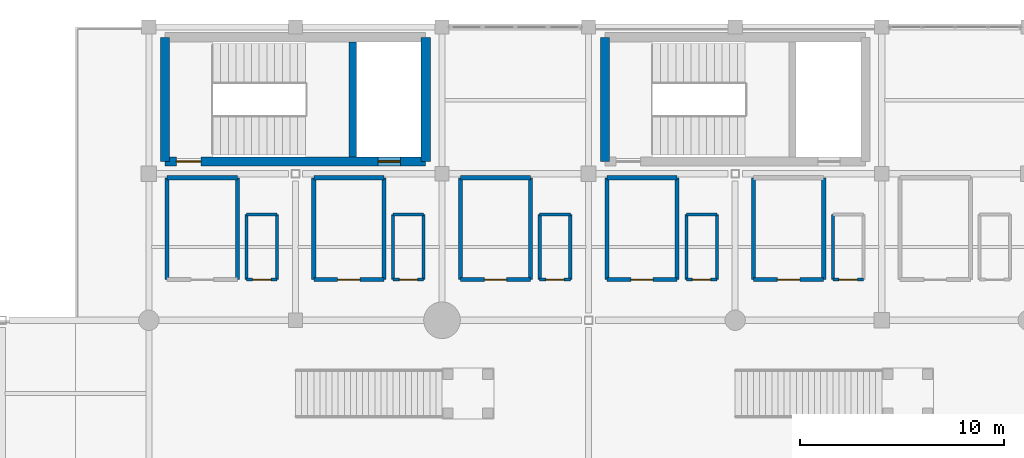
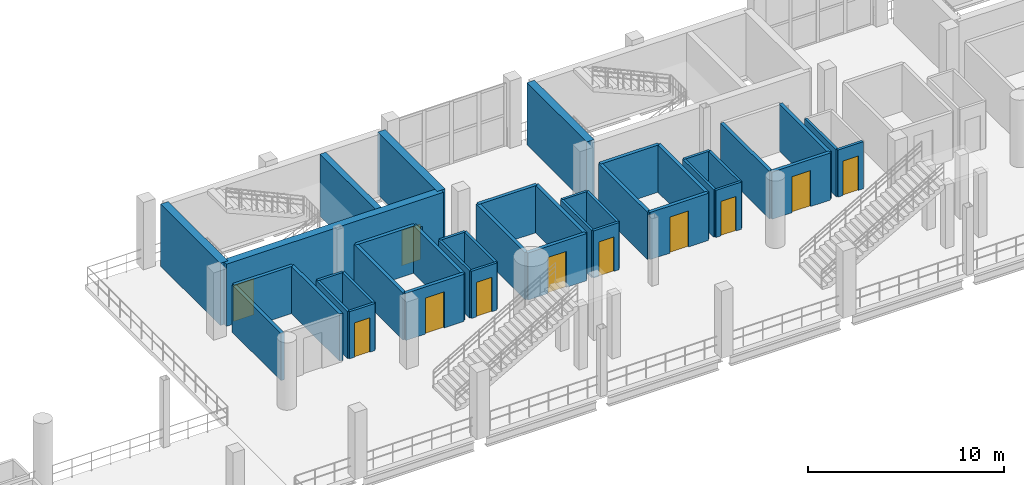
# One storey, part 107 of 130: 41 walls, 11 doors, 11 openings.
"""IFC4 building model written with IfcOpenShell, lengths in metres."""

from ifc_helpers import new_model, si_unit, direction, frame, frame_2d, origin, place, context, subcontext, project, spatial, rectangle, extrude, material, layer, layer_set, type_object, element, fill, save


model = new_model("IFC4")

# Units and contexts
model_context = context("Model", 3, precision=1e-05, world=origin(), true_north=direction((0.0, 1.0)))
body_context = subcontext(model_context, "Body", "Model", "MODEL_VIEW")
ifc_project = project(units=[si_unit("LENGTHUNIT", "METRE"), si_unit("AREAUNIT", "SQUARE_METRE"), si_unit("VOLUMEUNIT", "CUBIC_METRE"), si_unit("PLANEANGLEUNIT", "RADIAN"), si_unit("MASSUNIT", "GRAM", prefix="KILO")], contexts=[model_context])

# Site, building, storey
site_placement = place(None, origin())
site = spatial("IfcSite", under=ifc_project, at=site_placement, CompositionType="ELEMENT")
building_placement = place(site_placement, origin())
building = spatial("IfcBuilding", under=site, at=building_placement, Name="Qandorah Velis Arena", CompositionType="ELEMENT")
storey_placement = place(building_placement, frame((0.0, 0.0, 9.60009765625)))
storey = spatial("IfcBuildingStorey", under=building, at=storey_placement, Name="L02", CompositionType="ELEMENT", Elevation=9.60009765625)

# Walls
ifc_material_1 = material(Name="Concrete C35/45", Category="concrete")
ifc_layer_1 = layer(ifc_material_1, 0.199951171875)
ifc_layer_set_1 = layer_set([ifc_layer_1], Name="Concrete C35/45")
wall_type_1 = type_object("IfcWallType", Name="ARC-WAL-FD60-200", PredefinedType="PARTITIONING", material=ifc_layer_set_1)
wall_1_placement = place(storey_placement, frame((33.14990234375, 117.199951171875, 0.0), z_axis=(0.0, 0.0, 1.0), x_axis=(0.0, 1.0, 0.0)))
element("IfcWall", 1, at=wall_1_placement, inside=storey, type_object=wall_type_1, Name="Interior partition L02-HS-17 (E)", PredefinedType="PARTITIONING", context=body_context, shape_type="SweptSolid", body=[
    extrude(rectangle(XDim=5.0, YDim=0.199951171875, at=frame_2d((2.5, 0.0))), origin(), (0.0, 0.0, 1.0), 2.93994140625),
])
wall_2_placement = place(storey_placement, frame((33.14990234375, 122.199951171875, 0.0), z_axis=(0.0, 0.0, 1.0), x_axis=(-1.0, 0.0, 0.0)))
element("IfcWall", 2, at=wall_2_placement, inside=storey, type_object=wall_type_1, Name="Interior partition L02-HS-17 (N)", PredefinedType="PARTITIONING", context=body_context, shape_type="SweptSolid", body=[
    extrude(rectangle(XDim=3.449951171875, YDim=0.199951171875, at=frame_2d((1.72509765625, 0.0))), origin(), (0.0, 0.0, 1.0), 2.93994140625),
])
wall_3_placement = place(storey_placement, frame((29.699951171875, 122.199951171875, 0.0), z_axis=(0.0, 0.0, 1.0), x_axis=(0.0, -1.0, 0.0)))
element("IfcWall", 3, at=wall_3_placement, inside=storey, type_object=wall_type_1, Name="Interior partition L02-HS-17 (W)", PredefinedType="PARTITIONING", context=body_context, shape_type="SweptSolid", body=[
    extrude(rectangle(XDim=5.0, YDim=0.199951171875, at=frame_2d((2.5, 0.0))), origin(), (0.0, 0.0, 1.0), 2.93994140625),
])

# Wall, opening, door
wall_4_placement = place(storey_placement, frame((36.89990234375, 117.199951171875, 0.0), z_axis=(0.0, 0.0, 1.0), x_axis=(1.0, 0.0, 0.0)))
wall_4 = element("IfcWall", 4, at=wall_4_placement, inside=storey, type_object=wall_type_1, Name="Interior partition L02-HS-18 (S)", PredefinedType="PARTITIONING", context=body_context, shape_type="SweptSolid", body=[
    extrude(rectangle(XDim=3.4501953125, YDim=0.199951171875, at=frame_2d((1.72509765625, 0.0))), origin(), (0.0, 0.0, 1.0), 2.93994140625),
])
opening_1_placement = place(wall_4_placement, frame((1.175048828125, 0.0, 0.0)))
opening_1 = element("IfcOpeningElement", 5, at=opening_1_placement, cuts=wall_4, Name="Opening D7", PredefinedType="OPENING", context=body_context, shape_type="SweptSolid", body=[
    extrude(rectangle(XDim=1.10009765625, YDim=2.25, at=frame_2d((0.550048828125, 1.125))), frame((0.0, 0.10986328125, 0.0), z_axis=(0.0, -1.0, 0.0), x_axis=(1.0, 0.0, 0.0)), (0.0, 0.0, 1.0), 0.219970703125),
])
ifc_material_2 = material(Name="Hospitality suite acoustic walnut door")
door_type_1 = type_object("IfcDoorType", Name="ARC-DR-INT1100", OperationType="NOTDEFINED", PredefinedType="DOOR", material=ifc_material_2)
door_1_placement = place(opening_1_placement, origin())
door_1 = element("IfcDoor", 6, at=door_1_placement, inside=storey, type_object=door_type_1, Name="Door L02-HS-18", OperationType="SINGLE_SWING_LEFT", OverallHeight=2.25, OverallWidth=1.10009765625, PredefinedType="DOOR", context=body_context, shape_type="SweptSolid", body=[
    extrude(rectangle(XDim=1.10009765625, YDim=2.25, at=frame_2d((0.550048828125, 1.125))), frame((0.0, 0.02490234375, 0.0), z_axis=(0.0, -1.0, 0.0), x_axis=(1.0, 0.0, 0.0)), (0.0, 0.0, 1.0), 0.050048828125),
])
fill(opening_1, door_1)

# Walls
wall_5_placement = place(storey_placement, frame((40.35009765625, 117.199951171875, 0.0), z_axis=(0.0, 0.0, 1.0), x_axis=(0.0, 1.0, 0.0)))
element("IfcWall", 7, at=wall_5_placement, inside=storey, type_object=wall_type_1, Name="Interior partition L02-HS-18 (E)", PredefinedType="PARTITIONING", context=body_context, shape_type="SweptSolid", body=[
    extrude(rectangle(XDim=5.0, YDim=0.199951171875, at=frame_2d((2.5, 0.0))), origin(), (0.0, 0.0, 1.0), 2.93994140625),
])
wall_6_placement = place(storey_placement, frame((40.35009765625, 122.199951171875, 0.0), z_axis=(0.0, 0.0, 1.0), x_axis=(-1.0, 0.0, 0.0)))
element("IfcWall", 8, at=wall_6_placement, inside=storey, type_object=wall_type_1, Name="Interior partition L02-HS-18 (N)", PredefinedType="PARTITIONING", context=body_context, shape_type="SweptSolid", body=[
    extrude(rectangle(XDim=3.4501953125, YDim=0.199951171875, at=frame_2d((1.72509765625, 0.0))), origin(), (0.0, 0.0, 1.0), 2.93994140625),
])
wall_7_placement = place(storey_placement, frame((36.89990234375, 122.199951171875, 0.0), z_axis=(0.0, 0.0, 1.0), x_axis=(0.0, -1.0, 0.0)))
element("IfcWall", 9, at=wall_7_placement, inside=storey, type_object=wall_type_1, Name="Interior partition L02-HS-18 (W)", PredefinedType="PARTITIONING", context=body_context, shape_type="SweptSolid", body=[
    extrude(rectangle(XDim=5.0, YDim=0.199951171875, at=frame_2d((2.5, 0.0))), origin(), (0.0, 0.0, 1.0), 2.93994140625),
])

# Wall, opening, door
wall_8_placement = place(storey_placement, frame((44.10009765625, 117.199951171875, 0.0), z_axis=(0.0, 0.0, 1.0), x_axis=(1.0, 0.0, 0.0)))
wall_8 = element("IfcWall", 10, at=wall_8_placement, inside=storey, type_object=wall_type_1, Name="Interior partition L02-HS-19 (S)", PredefinedType="PARTITIONING", context=body_context, shape_type="SweptSolid", body=[
    extrude(rectangle(XDim=3.449951171875, YDim=0.199951171875, at=frame_2d((1.72509765625, 0.0))), origin(), (0.0, 0.0, 1.0), 2.93994140625),
])
opening_2_placement = place(wall_8_placement, frame((1.175048828125, 0.0, 0.0)))
opening_2 = element("IfcOpeningElement", 11, at=opening_2_placement, cuts=wall_8, Name="Opening D7", PredefinedType="OPENING", context=body_context, shape_type="SweptSolid", body=[
    extrude(rectangle(XDim=1.10009765625, YDim=2.25, at=frame_2d((0.550048828125, 1.125))), frame((0.0, 0.10986328125, 0.0), z_axis=(0.0, -1.0, 0.0), x_axis=(1.0, 0.0, 0.0)), (0.0, 0.0, 1.0), 0.219970703125),
])
door_2_placement = place(opening_2_placement, origin())
door_2 = element("IfcDoor", 12, at=door_2_placement, inside=storey, type_object=door_type_1, Name="Door L02-HS-19", OperationType="SINGLE_SWING_LEFT", OverallHeight=2.25, OverallWidth=1.10009765625, PredefinedType="DOOR", context=body_context, shape_type="SweptSolid", body=[
    extrude(rectangle(XDim=1.10009765625, YDim=2.25, at=frame_2d((0.550048828125, 1.125))), frame((0.0, 0.02490234375, 0.0), z_axis=(0.0, -1.0, 0.0), x_axis=(1.0, 0.0, 0.0)), (0.0, 0.0, 1.0), 0.050048828125),
])
fill(opening_2, door_2)

# Walls
wall_9_placement = place(storey_placement, frame((47.550048828125, 117.199951171875, 0.0), z_axis=(0.0, 0.0, 1.0), x_axis=(0.0, 1.0, 0.0)))
element("IfcWall", 13, at=wall_9_placement, inside=storey, type_object=wall_type_1, Name="Interior partition L02-HS-19 (E)", PredefinedType="PARTITIONING", context=body_context, shape_type="SweptSolid", body=[
    extrude(rectangle(XDim=5.0, YDim=0.199951171875, at=frame_2d((2.5, 0.0))), origin(), (0.0, 0.0, 1.0), 2.93994140625),
])
wall_10_placement = place(storey_placement, frame((47.550048828125, 122.199951171875, 0.0), z_axis=(0.0, 0.0, 1.0), x_axis=(-1.0, 0.0, 0.0)))
element("IfcWall", 14, at=wall_10_placement, inside=storey, type_object=wall_type_1, Name="Interior partition L02-HS-19 (N)", PredefinedType="PARTITIONING", context=body_context, shape_type="SweptSolid", body=[
    extrude(rectangle(XDim=3.449951171875, YDim=0.199951171875, at=frame_2d((1.72509765625, 0.0))), origin(), (0.0, 0.0, 1.0), 2.93994140625),
])
wall_11_placement = place(storey_placement, frame((44.10009765625, 122.199951171875, 0.0), z_axis=(0.0, 0.0, 1.0), x_axis=(0.0, -1.0, 0.0)))
element("IfcWall", 15, at=wall_11_placement, inside=storey, type_object=wall_type_1, Name="Interior partition L02-HS-19 (W)", PredefinedType="PARTITIONING", context=body_context, shape_type="SweptSolid", body=[
    extrude(rectangle(XDim=5.0, YDim=0.199951171875, at=frame_2d((2.5, 0.0))), origin(), (0.0, 0.0, 1.0), 2.93994140625),
])

# Wall, opening, door
wall_12_placement = place(storey_placement, frame((51.300048828125, 117.199951171875, 0.0), z_axis=(0.0, 0.0, 1.0), x_axis=(1.0, 0.0, 0.0)))
wall_12 = element("IfcWall", 16, at=wall_12_placement, inside=storey, type_object=wall_type_1, Name="Interior partition L02-HS-20 (S)", PredefinedType="PARTITIONING", context=body_context, shape_type="SweptSolid", body=[
    extrude(rectangle(XDim=3.449951171875, YDim=0.199951171875, at=frame_2d((1.72509765625, 0.0))), origin(), (0.0, 0.0, 1.0), 2.93994140625),
])
opening_3_placement = place(wall_12_placement, frame((1.175048828125, 0.0, 0.0)))
opening_3 = element("IfcOpeningElement", 17, at=opening_3_placement, cuts=wall_12, Name="Opening D7", PredefinedType="OPENING", context=body_context, shape_type="SweptSolid", body=[
    extrude(rectangle(XDim=1.10009765625, YDim=2.25, at=frame_2d((0.550048828125, 1.125))), frame((0.0, 0.10986328125, 0.0), z_axis=(0.0, -1.0, 0.0), x_axis=(1.0, 0.0, 0.0)), (0.0, 0.0, 1.0), 0.219970703125),
])
door_3_placement = place(opening_3_placement, origin())
door_3 = element("IfcDoor", 18, at=door_3_placement, inside=storey, type_object=door_type_1, Name="Door L02-HS-20", OperationType="SINGLE_SWING_LEFT", OverallHeight=2.25, OverallWidth=1.10009765625, PredefinedType="DOOR", context=body_context, shape_type="SweptSolid", body=[
    extrude(rectangle(XDim=1.10009765625, YDim=2.25, at=frame_2d((0.550048828125, 1.125))), frame((0.0, 0.02490234375, 0.0), z_axis=(0.0, -1.0, 0.0), x_axis=(1.0, 0.0, 0.0)), (0.0, 0.0, 1.0), 0.050048828125),
])
fill(opening_3, door_3)

# Walls
wall_13_placement = place(storey_placement, frame((54.75, 117.199951171875, 0.0), z_axis=(0.0, 0.0, 1.0), x_axis=(0.0, 1.0, 0.0)))
element("IfcWall", 19, at=wall_13_placement, inside=storey, type_object=wall_type_1, Name="Interior partition L02-HS-20 (E)", PredefinedType="PARTITIONING", context=body_context, shape_type="SweptSolid", body=[
    extrude(rectangle(XDim=5.0, YDim=0.199951171875, at=frame_2d((2.5, 0.0))), origin(), (0.0, 0.0, 1.0), 2.93994140625),
])
wall_14_placement = place(storey_placement, frame((54.75, 122.199951171875, 0.0), z_axis=(0.0, 0.0, 1.0), x_axis=(-1.0, 0.0, 0.0)))
element("IfcWall", 20, at=wall_14_placement, inside=storey, type_object=wall_type_1, Name="Interior partition L02-HS-20 (N)", PredefinedType="PARTITIONING", context=body_context, shape_type="SweptSolid", body=[
    extrude(rectangle(XDim=3.449951171875, YDim=0.199951171875, at=frame_2d((1.72509765625, 0.0))), origin(), (0.0, 0.0, 1.0), 2.93994140625),
])
wall_15_placement = place(storey_placement, frame((51.300048828125, 122.199951171875, 0.0), z_axis=(0.0, 0.0, 1.0), x_axis=(0.0, -1.0, 0.0)))
element("IfcWall", 21, at=wall_15_placement, inside=storey, type_object=wall_type_1, Name="Interior partition L02-HS-20 (W)", PredefinedType="PARTITIONING", context=body_context, shape_type="SweptSolid", body=[
    extrude(rectangle(XDim=5.0, YDim=0.199951171875, at=frame_2d((2.5, 0.0))), origin(), (0.0, 0.0, 1.0), 2.93994140625),
])

# Wall, opening, door
wall_16_placement = place(storey_placement, frame((58.5, 117.199951171875, 0.0), z_axis=(0.0, 0.0, 1.0), x_axis=(1.0, 0.0, 0.0)))
wall_16 = element("IfcWall", 22, at=wall_16_placement, inside=storey, type_object=wall_type_1, Name="Interior partition L02-HS-21 (S)", PredefinedType="PARTITIONING", context=body_context, shape_type="SweptSolid", body=[
    extrude(rectangle(XDim=3.449951171875, YDim=0.199951171875, at=frame_2d((1.72509765625, 0.0))), origin(), (0.0, 0.0, 1.0), 2.93994140625),
])
opening_4_placement = place(wall_16_placement, frame((1.175048828125, 0.0, 0.0)))
opening_4 = element("IfcOpeningElement", 23, at=opening_4_placement, cuts=wall_16, Name="Opening D7", PredefinedType="OPENING", context=body_context, shape_type="SweptSolid", body=[
    extrude(rectangle(XDim=1.10009765625, YDim=2.25, at=frame_2d((0.550048828125, 1.125))), frame((0.0, 0.10986328125, 0.0), z_axis=(0.0, -1.0, 0.0), x_axis=(1.0, 0.0, 0.0)), (0.0, 0.0, 1.0), 0.219970703125),
])
door_4_placement = place(opening_4_placement, origin())
door_4 = element("IfcDoor", 24, at=door_4_placement, inside=storey, type_object=door_type_1, Name="Door L02-HS-21", OperationType="SINGLE_SWING_LEFT", OverallHeight=2.25, OverallWidth=1.10009765625, PredefinedType="DOOR", context=body_context, shape_type="SweptSolid", body=[
    extrude(rectangle(XDim=1.10009765625, YDim=2.25, at=frame_2d((0.550048828125, 1.125))), frame((0.0, 0.02490234375, 0.0), z_axis=(0.0, -1.0, 0.0), x_axis=(1.0, 0.0, 0.0)), (0.0, 0.0, 1.0), 0.050048828125),
])
fill(opening_4, door_4)

# Walls
for number, where, z_axis, x_axis, name in (
    (25, (61.949951171875, 117.199951171875, 0.0), (0.0, 0.0, 1.0), (0.0, 1.0, 0.0), "Interior partition L02-HS-21 (E)"),
    (26, (58.5, 122.199951171875, 0.0), (0.0, 0.0, 1.0), (0.0, -1.0, 0.0), "Interior partition L02-HS-21 (W)"),
):
    element("IfcWall", number, at=place(storey_placement, frame(where, z_axis=z_axis, x_axis=x_axis)), inside=storey, type_object=wall_type_1, Name=name, PredefinedType="PARTITIONING", context=body_context, shape_type="SweptSolid", body=[
        extrude(rectangle(XDim=5.0, YDim=0.199951171875, at=frame_2d((2.5, 0.0))), origin(), (0.0, 0.0, 1.0), 2.93994140625),
    ])

# Wall, opening, door
ifc_layer_2 = layer(ifc_material_1, 0.14990234375)
ifc_layer_set_2 = layer_set([ifc_layer_2], Name="Concrete C35/45")
wall_type_2 = type_object("IfcWallType", Name="ARC-WAL-PART150", PredefinedType="PARTITIONING", material=ifc_layer_set_2)
wall_17_placement = place(storey_placement, frame((33.60009765625, 117.199951171875, 0.0), z_axis=(0.0, 0.0, 1.0), x_axis=(1.0, 0.0, 0.0)))
wall_17 = element("IfcWall", 27, at=wall_17_placement, inside=storey, type_object=wall_type_2, Name="Interior partition L02-HSWC-17 (S)", PredefinedType="PARTITIONING", context=body_context, shape_type="SweptSolid", body=[
    extrude(rectangle(XDim=1.5, YDim=0.14990234375, at=frame_2d((0.75, 0.0))), origin(), (0.0, 0.0, 1.0), 2.93994140625),
])
opening_5_placement = place(wall_17_placement, frame((0.300048828125, 0.0, 0.0)))
opening_5 = element("IfcOpeningElement", 28, at=opening_5_placement, cuts=wall_17, Name="Opening D8", PredefinedType="OPENING", context=body_context, shape_type="SweptSolid", body=[
    extrude(rectangle(XDim=0.89990234375, YDim=2.14990234375, at=frame_2d((0.449951171875, 1.074951171875))), frame((0.0, 0.0849609375, 0.0), z_axis=(0.0, -1.0, 0.0), x_axis=(1.0, 0.0, 0.0)), (0.0, 0.0, 1.0), 0.169921875),
])
ifc_material_3 = material(Name="Suite en-suite walnut door")
door_type_2 = type_object("IfcDoorType", Name="ARC-DR-WC900", OperationType="NOTDEFINED", PredefinedType="DOOR", material=ifc_material_3)
door_5_placement = place(opening_5_placement, frame((0.89990234375, 0.0, 0.0), z_axis=(0.0, 0.0, 1.0), x_axis=(-1.0, 0.0, 0.0)))
door_5 = element("IfcDoor", 29, at=door_5_placement, inside=storey, type_object=door_type_2, Name="Door L02-HSWC-17", OperationType="SINGLE_SWING_RIGHT", OverallHeight=2.14990234375, OverallWidth=0.89990234375, PredefinedType="DOOR", context=body_context, shape_type="SweptSolid", body=[
    extrude(rectangle(XDim=0.89990234375, YDim=2.14990234375, at=frame_2d((0.449951171875, 1.074951171875))), frame((0.0, 0.02490234375, 0.0), z_axis=(0.0, -1.0, 0.0), x_axis=(1.0, 0.0, 0.0)), (0.0, 0.0, 1.0), 0.050048828125),
])
fill(opening_5, door_5)

# Walls
wall_18_placement = place(storey_placement, frame((35.10009765625, 117.199951171875, 0.0), z_axis=(0.0, 0.0, 1.0), x_axis=(0.0, 1.0, 0.0)))
element("IfcWall", 30, at=wall_18_placement, inside=storey, type_object=wall_type_2, Name="Interior partition L02-HSWC-17 (E)", PredefinedType="PARTITIONING", context=body_context, shape_type="SweptSolid", body=[
    extrude(rectangle(XDim=3.199951171875, YDim=0.14990234375, at=frame_2d((1.60009765625, 0.0))), origin(), (0.0, 0.0, 1.0), 2.93994140625),
])
wall_19_placement = place(storey_placement, frame((35.10009765625, 120.39990234375, 0.0), z_axis=(0.0, 0.0, 1.0), x_axis=(-1.0, 0.0, 0.0)))
element("IfcWall", 31, at=wall_19_placement, inside=storey, type_object=wall_type_2, Name="Interior partition L02-HSWC-17 (N)", PredefinedType="PARTITIONING", context=body_context, shape_type="SweptSolid", body=[
    extrude(rectangle(XDim=1.5, YDim=0.14990234375, at=frame_2d((0.75, 0.0))), origin(), (0.0, 0.0, 1.0), 2.93994140625),
])
wall_20_placement = place(storey_placement, frame((33.60009765625, 120.39990234375, 0.0), z_axis=(0.0, 0.0, 1.0), x_axis=(0.0, -1.0, 0.0)))
element("IfcWall", 32, at=wall_20_placement, inside=storey, type_object=wall_type_2, Name="Interior partition L02-HSWC-17 (W)", PredefinedType="PARTITIONING", context=body_context, shape_type="SweptSolid", body=[
    extrude(rectangle(XDim=3.199951171875, YDim=0.14990234375, at=frame_2d((1.60009765625, 0.0))), origin(), (0.0, 0.0, 1.0), 2.93994140625),
])

# Wall, opening, door
wall_21_placement = place(storey_placement, frame((40.800048828125, 117.199951171875, 0.0), z_axis=(0.0, 0.0, 1.0), x_axis=(1.0, 0.0, 0.0)))
wall_21 = element("IfcWall", 33, at=wall_21_placement, inside=storey, type_object=wall_type_2, Name="Interior partition L02-HSWC-18 (S)", PredefinedType="PARTITIONING", context=body_context, shape_type="SweptSolid", body=[
    extrude(rectangle(XDim=1.5, YDim=0.14990234375, at=frame_2d((0.75, 0.0))), origin(), (0.0, 0.0, 1.0), 2.93994140625),
])
opening_6_placement = place(wall_21_placement, frame((0.300048828125, 0.0, 0.0)))
opening_6 = element("IfcOpeningElement", 34, at=opening_6_placement, cuts=wall_21, Name="Opening D8", PredefinedType="OPENING", context=body_context, shape_type="SweptSolid", body=[
    extrude(rectangle(XDim=0.89990234375, YDim=2.14990234375, at=frame_2d((0.449951171875, 1.074951171875))), frame((0.0, 0.0849609375, 0.0), z_axis=(0.0, -1.0, 0.0), x_axis=(1.0, 0.0, 0.0)), (0.0, 0.0, 1.0), 0.169921875),
])
door_6_placement = place(opening_6_placement, frame((0.89990234375, 0.0, 0.0), z_axis=(0.0, 0.0, 1.0), x_axis=(-1.0, 0.0, 0.0)))
door_6 = element("IfcDoor", 35, at=door_6_placement, inside=storey, type_object=door_type_2, Name="Door L02-HSWC-18", OperationType="SINGLE_SWING_RIGHT", OverallHeight=2.14990234375, OverallWidth=0.89990234375, PredefinedType="DOOR", context=body_context, shape_type="SweptSolid", body=[
    extrude(rectangle(XDim=0.89990234375, YDim=2.14990234375, at=frame_2d((0.449951171875, 1.074951171875))), frame((0.0, 0.02490234375, 0.0), z_axis=(0.0, -1.0, 0.0), x_axis=(1.0, 0.0, 0.0)), (0.0, 0.0, 1.0), 0.050048828125),
])
fill(opening_6, door_6)

# Walls
wall_22_placement = place(storey_placement, frame((42.300048828125, 117.199951171875, 0.0), z_axis=(0.0, 0.0, 1.0), x_axis=(0.0, 1.0, 0.0)))
element("IfcWall", 36, at=wall_22_placement, inside=storey, type_object=wall_type_2, Name="Interior partition L02-HSWC-18 (E)", PredefinedType="PARTITIONING", context=body_context, shape_type="SweptSolid", body=[
    extrude(rectangle(XDim=3.199951171875, YDim=0.14990234375, at=frame_2d((1.60009765625, 0.0))), origin(), (0.0, 0.0, 1.0), 2.93994140625),
])
wall_23_placement = place(storey_placement, frame((42.300048828125, 120.39990234375, 0.0), z_axis=(0.0, 0.0, 1.0), x_axis=(-1.0, 0.0, 0.0)))
element("IfcWall", 37, at=wall_23_placement, inside=storey, type_object=wall_type_2, Name="Interior partition L02-HSWC-18 (N)", PredefinedType="PARTITIONING", context=body_context, shape_type="SweptSolid", body=[
    extrude(rectangle(XDim=1.5, YDim=0.14990234375, at=frame_2d((0.75, 0.0))), origin(), (0.0, 0.0, 1.0), 2.93994140625),
])
wall_24_placement = place(storey_placement, frame((40.800048828125, 120.39990234375, 0.0), z_axis=(0.0, 0.0, 1.0), x_axis=(0.0, -1.0, 0.0)))
element("IfcWall", 38, at=wall_24_placement, inside=storey, type_object=wall_type_2, Name="Interior partition L02-HSWC-18 (W)", PredefinedType="PARTITIONING", context=body_context, shape_type="SweptSolid", body=[
    extrude(rectangle(XDim=3.199951171875, YDim=0.14990234375, at=frame_2d((1.60009765625, 0.0))), origin(), (0.0, 0.0, 1.0), 2.93994140625),
])

# Wall, opening, door
wall_25_placement = place(storey_placement, frame((48.0, 117.199951171875, 0.0), z_axis=(0.0, 0.0, 1.0), x_axis=(1.0, 0.0, 0.0)))
wall_25 = element("IfcWall", 39, at=wall_25_placement, inside=storey, type_object=wall_type_2, Name="Interior partition L02-HSWC-19 (S)", PredefinedType="PARTITIONING", context=body_context, shape_type="SweptSolid", body=[
    extrude(rectangle(XDim=1.5, YDim=0.14990234375, at=frame_2d((0.75, 0.0))), origin(), (0.0, 0.0, 1.0), 2.93994140625),
])
opening_7_placement = place(wall_25_placement, frame((0.300048828125, 0.0, 0.0)))
opening_7 = element("IfcOpeningElement", 40, at=opening_7_placement, cuts=wall_25, Name="Opening D8", PredefinedType="OPENING", context=body_context, shape_type="SweptSolid", body=[
    extrude(rectangle(XDim=0.89990234375, YDim=2.14990234375, at=frame_2d((0.449951171875, 1.074951171875))), frame((0.0, 0.0849609375, 0.0), z_axis=(0.0, -1.0, 0.0), x_axis=(1.0, 0.0, 0.0)), (0.0, 0.0, 1.0), 0.169921875),
])
door_7_placement = place(opening_7_placement, frame((0.89990234375, 0.0, 0.0), z_axis=(0.0, 0.0, 1.0), x_axis=(-1.0, 0.0, 0.0)))
door_7 = element("IfcDoor", 41, at=door_7_placement, inside=storey, type_object=door_type_2, Name="Door L02-HSWC-19", OperationType="SINGLE_SWING_RIGHT", OverallHeight=2.14990234375, OverallWidth=0.89990234375, PredefinedType="DOOR", context=body_context, shape_type="SweptSolid", body=[
    extrude(rectangle(XDim=0.89990234375, YDim=2.14990234375, at=frame_2d((0.449951171875, 1.074951171875))), frame((0.0, 0.02490234375, 0.0), z_axis=(0.0, -1.0, 0.0), x_axis=(1.0, 0.0, 0.0)), (0.0, 0.0, 1.0), 0.050048828125),
])
fill(opening_7, door_7)

# Walls
wall_26_placement = place(storey_placement, frame((49.5, 117.199951171875, 0.0), z_axis=(0.0, 0.0, 1.0), x_axis=(0.0, 1.0, 0.0)))
element("IfcWall", 42, at=wall_26_placement, inside=storey, type_object=wall_type_2, Name="Interior partition L02-HSWC-19 (E)", PredefinedType="PARTITIONING", context=body_context, shape_type="SweptSolid", body=[
    extrude(rectangle(XDim=3.199951171875, YDim=0.14990234375, at=frame_2d((1.60009765625, 0.0))), origin(), (0.0, 0.0, 1.0), 2.93994140625),
])
wall_27_placement = place(storey_placement, frame((49.5, 120.39990234375, 0.0), z_axis=(0.0, 0.0, 1.0), x_axis=(-1.0, 0.0, 0.0)))
element("IfcWall", 43, at=wall_27_placement, inside=storey, type_object=wall_type_2, Name="Interior partition L02-HSWC-19 (N)", PredefinedType="PARTITIONING", context=body_context, shape_type="SweptSolid", body=[
    extrude(rectangle(XDim=1.5, YDim=0.14990234375, at=frame_2d((0.75, 0.0))), origin(), (0.0, 0.0, 1.0), 2.93994140625),
])
wall_28_placement = place(storey_placement, frame((48.0, 120.39990234375, 0.0), z_axis=(0.0, 0.0, 1.0), x_axis=(0.0, -1.0, 0.0)))
element("IfcWall", 44, at=wall_28_placement, inside=storey, type_object=wall_type_2, Name="Interior partition L02-HSWC-19 (W)", PredefinedType="PARTITIONING", context=body_context, shape_type="SweptSolid", body=[
    extrude(rectangle(XDim=3.199951171875, YDim=0.14990234375, at=frame_2d((1.60009765625, 0.0))), origin(), (0.0, 0.0, 1.0), 2.93994140625),
])

# Wall, opening, door
wall_29_placement = place(storey_placement, frame((55.199951171875, 117.199951171875, 0.0), z_axis=(0.0, 0.0, 1.0), x_axis=(1.0, 0.0, 0.0)))
wall_29 = element("IfcWall", 45, at=wall_29_placement, inside=storey, type_object=wall_type_2, Name="Interior partition L02-HSWC-20 (S)", PredefinedType="PARTITIONING", context=body_context, shape_type="SweptSolid", body=[
    extrude(rectangle(XDim=1.5, YDim=0.14990234375, at=frame_2d((0.75, 0.0))), origin(), (0.0, 0.0, 1.0), 2.93994140625),
])
opening_8_placement = place(wall_29_placement, frame((0.300048828125, 0.0, 0.0)))
opening_8 = element("IfcOpeningElement", 46, at=opening_8_placement, cuts=wall_29, Name="Opening D8", PredefinedType="OPENING", context=body_context, shape_type="SweptSolid", body=[
    extrude(rectangle(XDim=0.89990234375, YDim=2.14990234375, at=frame_2d((0.449951171875, 1.074951171875))), frame((0.0, 0.0849609375, 0.0), z_axis=(0.0, -1.0, 0.0), x_axis=(1.0, 0.0, 0.0)), (0.0, 0.0, 1.0), 0.169921875),
])
door_8_placement = place(opening_8_placement, frame((0.89990234375, 0.0, 0.0), z_axis=(0.0, 0.0, 1.0), x_axis=(-1.0, 0.0, 0.0)))
door_8 = element("IfcDoor", 47, at=door_8_placement, inside=storey, type_object=door_type_2, Name="Door L02-HSWC-20", OperationType="SINGLE_SWING_RIGHT", OverallHeight=2.14990234375, OverallWidth=0.89990234375, PredefinedType="DOOR", context=body_context, shape_type="SweptSolid", body=[
    extrude(rectangle(XDim=0.89990234375, YDim=2.14990234375, at=frame_2d((0.449951171875, 1.074951171875))), frame((0.0, 0.02490234375, 0.0), z_axis=(0.0, -1.0, 0.0), x_axis=(1.0, 0.0, 0.0)), (0.0, 0.0, 1.0), 0.050048828125),
])
fill(opening_8, door_8)

# Walls
wall_30_placement = place(storey_placement, frame((56.699951171875, 117.199951171875, 0.0), z_axis=(0.0, 0.0, 1.0), x_axis=(0.0, 1.0, 0.0)))
element("IfcWall", 48, at=wall_30_placement, inside=storey, type_object=wall_type_2, Name="Interior partition L02-HSWC-20 (E)", PredefinedType="PARTITIONING", context=body_context, shape_type="SweptSolid", body=[
    extrude(rectangle(XDim=3.199951171875, YDim=0.14990234375, at=frame_2d((1.60009765625, 0.0))), origin(), (0.0, 0.0, 1.0), 2.93994140625),
])
wall_31_placement = place(storey_placement, frame((56.699951171875, 120.39990234375, 0.0), z_axis=(0.0, 0.0, 1.0), x_axis=(-1.0, 0.0, 0.0)))
element("IfcWall", 49, at=wall_31_placement, inside=storey, type_object=wall_type_2, Name="Interior partition L02-HSWC-20 (N)", PredefinedType="PARTITIONING", context=body_context, shape_type="SweptSolid", body=[
    extrude(rectangle(XDim=1.5, YDim=0.14990234375, at=frame_2d((0.75, 0.0))), origin(), (0.0, 0.0, 1.0), 2.93994140625),
])
wall_32_placement = place(storey_placement, frame((55.199951171875, 120.39990234375, 0.0), z_axis=(0.0, 0.0, 1.0), x_axis=(0.0, -1.0, 0.0)))
element("IfcWall", 50, at=wall_32_placement, inside=storey, type_object=wall_type_2, Name="Interior partition L02-HSWC-20 (W)", PredefinedType="PARTITIONING", context=body_context, shape_type="SweptSolid", body=[
    extrude(rectangle(XDim=3.199951171875, YDim=0.14990234375, at=frame_2d((1.60009765625, 0.0))), origin(), (0.0, 0.0, 1.0), 2.93994140625),
])

# Wall, opening, door
wall_33_placement = place(storey_placement, frame((62.39990234375, 117.199951171875, 0.0), z_axis=(0.0, 0.0, 1.0), x_axis=(1.0, 0.0, 0.0)))
wall_33 = element("IfcWall", 51, at=wall_33_placement, inside=storey, type_object=wall_type_2, Name="Interior partition L02-HSWC-21 (S)", PredefinedType="PARTITIONING", context=body_context, shape_type="SweptSolid", body=[
    extrude(rectangle(XDim=1.5, YDim=0.14990234375, at=frame_2d((0.75, 0.0))), origin(), (0.0, 0.0, 1.0), 2.93994140625),
])
opening_9_placement = place(wall_33_placement, frame((0.300048828125, 0.0, 0.0)))
opening_9 = element("IfcOpeningElement", 52, at=opening_9_placement, cuts=wall_33, Name="Opening D8", PredefinedType="OPENING", context=body_context, shape_type="SweptSolid", body=[
    extrude(rectangle(XDim=0.89990234375, YDim=2.14990234375, at=frame_2d((0.449951171875, 1.074951171875))), frame((0.0, 0.0849609375, 0.0), z_axis=(0.0, -1.0, 0.0), x_axis=(1.0, 0.0, 0.0)), (0.0, 0.0, 1.0), 0.169921875),
])
door_9_placement = place(opening_9_placement, frame((0.89990234375, 0.0, 0.0), z_axis=(0.0, 0.0, 1.0), x_axis=(-1.0, 0.0, 0.0)))
door_9 = element("IfcDoor", 53, at=door_9_placement, inside=storey, type_object=door_type_2, Name="Door L02-HSWC-21", OperationType="SINGLE_SWING_RIGHT", OverallHeight=2.14990234375, OverallWidth=0.89990234375, PredefinedType="DOOR", context=body_context, shape_type="SweptSolid", body=[
    extrude(rectangle(XDim=0.89990234375, YDim=2.14990234375, at=frame_2d((0.449951171875, 1.074951171875))), frame((0.0, 0.02490234375, 0.0), z_axis=(0.0, -1.0, 0.0), x_axis=(1.0, 0.0, 0.0)), (0.0, 0.0, 1.0), 0.050048828125),
])
fill(opening_9, door_9)

# Wall
wall_34_placement = place(storey_placement, frame((62.39990234375, 120.39990234375, 0.0), z_axis=(0.0, 0.0, 1.0), x_axis=(0.0, -1.0, 0.0)))
element("IfcWall", 54, at=wall_34_placement, inside=storey, type_object=wall_type_2, Name="Interior partition L02-HSWC-21 (W)", PredefinedType="PARTITIONING", context=body_context, shape_type="SweptSolid", body=[
    extrude(rectangle(XDim=3.199951171875, YDim=0.14990234375, at=frame_2d((1.60009765625, 0.0))), origin(), (0.0, 0.0, 1.0), 2.93994140625),
])

# Wall, openings, doors
ifc_material_4 = material(Name="Concrete C40/50", Category="concrete")
ifc_layer_3 = layer(ifc_material_4, 0.449951171875)
ifc_layer_set_3 = layer_set([ifc_layer_3], Name="Concrete C40/50")
wall_type_3 = type_object("IfcWallType", Name="STR-WAL-CORE450", PredefinedType="SHEAR", material=ifc_layer_set_3)
wall_35_placement = place(storey_placement, frame((29.60009765625, 123.0, 0.0), z_axis=(0.0, 0.0, 1.0), x_axis=(1.0, 0.0, 0.0)))
wall_35 = element("IfcWall", 55, at=wall_35_placement, inside=storey, type_object=wall_type_3, Name="Core CORE-03 shear wall S (L02)", PredefinedType="SHEAR", context=body_context, shape_type="SweptSolid", body=[
    extrude(rectangle(XDim=12.7998046875, YDim=0.449951171875, at=frame_2d((6.39990234375, 0.0))), origin(), (0.0, 0.0, 1.0), 3.8798828125),
])
opening_10_placement = place(wall_35_placement, frame((0.550048828125, 0.0, 0.0)))
opening_10 = element("IfcOpeningElement", 56, at=opening_10_placement, cuts=wall_35, Name="Opening SD1", PredefinedType="OPENING", context=body_context, shape_type="SweptSolid", body=[
    extrude(rectangle(XDim=1.199951171875, YDim=2.25, at=frame_2d((0.60009765625, 1.125))), frame((0.0, 0.23486328125, 0.0), z_axis=(0.0, -1.0, 0.0), x_axis=(1.0, 0.0, 0.0)), (0.0, 0.0, 1.0), 0.469970703125),
])
opening_11_placement = place(wall_35_placement, frame((10.4580078125, 0.0, 0.0)))
opening_11 = element("IfcOpeningElement", 57, at=opening_11_placement, cuts=wall_35, Name="Opening LD1", PredefinedType="OPENING", context=body_context, shape_type="SweptSolid", body=[
    extrude(rectangle(XDim=1.10009765625, YDim=2.199951171875, at=frame_2d((0.550048828125, 1.10009765625))), frame((0.0, 0.23486328125, 0.0), z_axis=(0.0, -1.0, 0.0), x_axis=(1.0, 0.0, 0.0)), (0.0, 0.0, 1.0), 0.469970703125),
])
ifc_material_5 = material(Name="Stainless steel sliding lift landing door", Category="steel")
door_type_3 = type_object("IfcDoorType", Name="ARC-DR-LD1100", OperationType="NOTDEFINED", PredefinedType="DOOR", material=ifc_material_5)
door_10_placement = place(opening_11_placement, origin())
door_10 = element("IfcDoor", 58, at=door_10_placement, inside=storey, type_object=door_type_3, Name="Lift PL1 sliding landing door (L02)", OperationType="SLIDING_TO_RIGHT", OverallHeight=2.199951171875, OverallWidth=1.10009765625, PredefinedType="DOOR", context=body_context, shape_type="SweptSolid", body=[
    extrude(rectangle(XDim=1.10009765625, YDim=2.199951171875, at=frame_2d((0.550048828125, 1.10009765625))), frame((0.0, 0.02490234375, 0.0), z_axis=(0.0, -1.0, 0.0), x_axis=(1.0, 0.0, 0.0)), (0.0, 0.0, 1.0), 0.050048828125),
])
fill(opening_11, door_10)
ifc_material_6 = material(Name="Self-closing fire-rated stair steel door", Category="steel")
door_type_4 = type_object("IfcDoorType", Name="ARC-DR-ST1200", OperationType="NOTDEFINED", PredefinedType="DOOR", material=ifc_material_6)
door_11_placement = place(opening_10_placement, origin())
door_11 = element("IfcDoor", 59, at=door_11_placement, inside=storey, type_object=door_type_4, Name="Stair ST3 fire door (L02)", OperationType="SINGLE_SWING_LEFT", OverallHeight=2.25, OverallWidth=1.199951171875, PredefinedType="DOOR", context=body_context, shape_type="SweptSolid", body=[
    extrude(rectangle(XDim=1.199951171875, YDim=2.25, at=frame_2d((0.60009765625, 1.125))), frame((0.0, 0.02490234375, 0.0), z_axis=(0.0, -1.0, 0.0), x_axis=(1.0, 0.0, 0.0)), (0.0, 0.0, 1.0), 0.050048828125),
])
fill(opening_10, door_11)

# Walls
for number, where, z_axis, x_axis, name in (
    (60, (29.60009765625, 123.0, 0.0), (0.0, 0.0, 1.0), (0.0, 1.0, 0.0), "Core CORE-03 shear wall W (L02)"),
    (61, (42.39990234375, 123.0, 0.0), (0.0, 0.0, 1.0), (0.0, 1.0, 0.0), "Core CORE-03 shear wall E (L02)"),
    (62, (51.199951171875, 123.0, 0.0), (0.0, 0.0, 1.0), (0.0, 1.0, 0.0), "Core CORE-10 shear wall W (L02)"),
):
    element("IfcWall", number, at=place(storey_placement, frame(where, z_axis=z_axis, x_axis=x_axis)), inside=storey, type_object=wall_type_3, Name=name, PredefinedType="SHEAR", context=body_context, shape_type="SweptSolid", body=[
        extrude(rectangle(XDim=6.10009765625, YDim=0.449951171875, at=frame_2d((3.050048828125, 0.0))), origin(), (0.0, 0.0, 1.0), 3.8798828125),
    ])
ifc_layer_4 = layer(ifc_material_4, 0.35009765625)
ifc_layer_set_4 = layer_set([ifc_layer_4], Name="Concrete C40/50")
wall_type_4 = type_object("IfcWallType", Name="STR-WAL-SH350", PredefinedType="SHEAR", material=ifc_layer_set_4)
wall_36_placement = place(storey_placement, frame((38.81591796875, 123.22509765625, 0.0), z_axis=(0.0, 0.0, 1.0), x_axis=(0.0, 1.0, 0.0)))
element("IfcWall", 63, at=wall_36_placement, inside=storey, type_object=wall_type_4, Name="Core CORE-03 shaft divider shear wall (L02)", PredefinedType="SHEAR", context=body_context, shape_type="SweptSolid", body=[
    extrude(rectangle(XDim=5.64990234375, YDim=0.35009765625, at=frame_2d((2.824951171875, 0.0))), origin(), (0.0, 0.0, 1.0), 3.8798828125),
])

save(model, "model.ifc")
